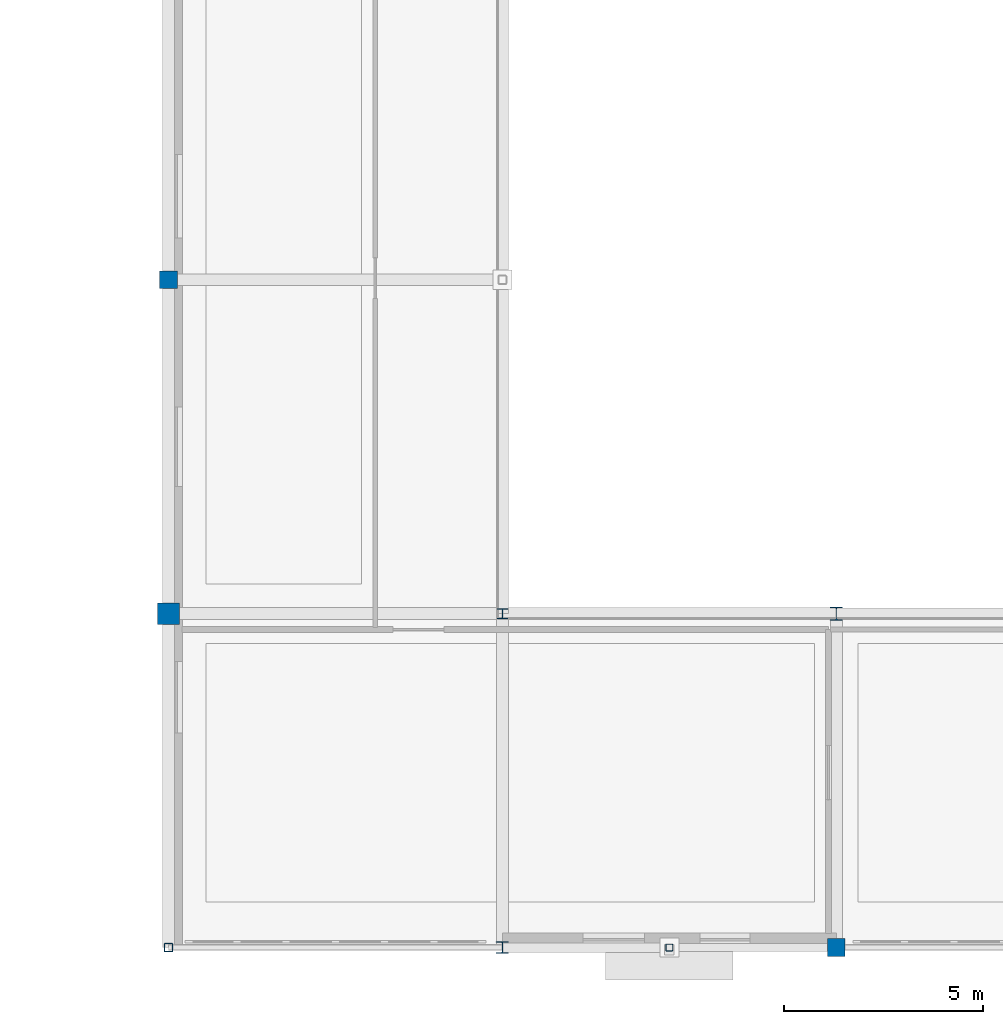
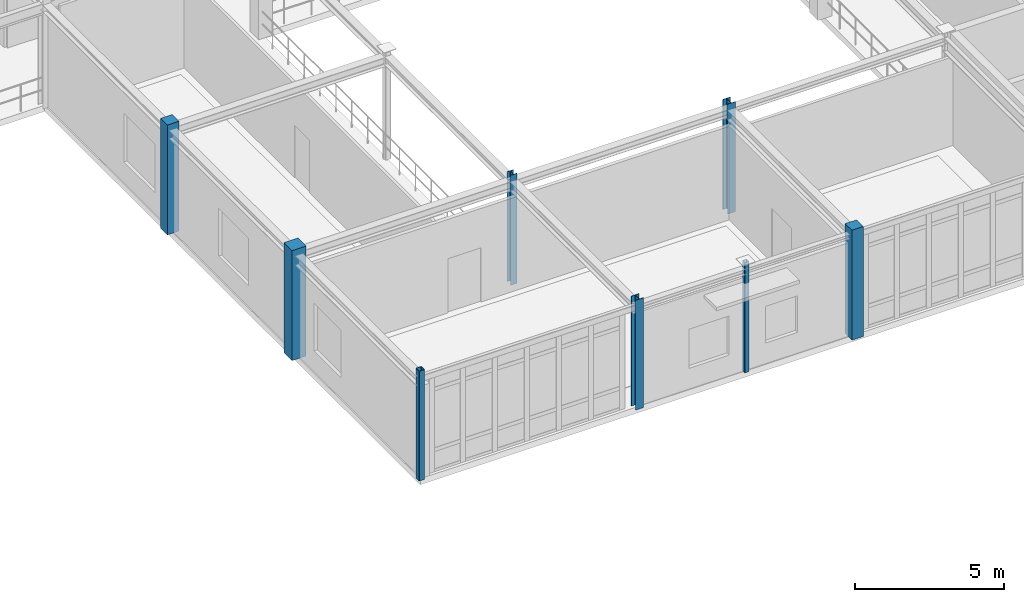
# One storey, part 8 of 106: 8 columns.
"""IFC4 building model written with IfcOpenShell, lengths in metres."""

from ifc_helpers import new_model, si_unit, derived_unit, direction, frame, origin, origin_2d, place, context, subcontext, project, spatial, rectangle, hollow_rectangle, i_section, extrude, material, material_profile, profile_set, type_object, element, save


model = new_model("IFC4")

# Units and contexts
model_context = context("Model", 3, precision=1e-05, world=origin(), true_north=direction((0.0, 1.0)))
body_context = subcontext(model_context, "Body", "Model", "MODEL_VIEW")
ifc_project = project(units=[si_unit("LENGTHUNIT", "METRE"), si_unit("AREAUNIT", "SQUARE_METRE"), si_unit("VOLUMEUNIT", "CUBIC_METRE"), si_unit("PLANEANGLEUNIT", "RADIAN"), si_unit("MASSUNIT", "GRAM", prefix="KILO"), derived_unit("THERMALTRANSMITTANCEUNIT", [(si_unit("POWERUNIT", "WATT"), 1), (si_unit("AREAUNIT", "SQUARE_METRE"), -1), (si_unit("THERMODYNAMICTEMPERATUREUNIT", "KELVIN"), -1)])], contexts=[model_context])

# Site, building, storey
site_placement = place(None, origin())
site = spatial("IfcSite", under=ifc_project, at=site_placement, CompositionType="ELEMENT")
building_placement = place(site_placement, origin())
building = spatial("IfcBuilding", under=site, at=building_placement, Name="Yasenodar Specialist Clinic", CompositionType="ELEMENT")
storey_placement = place(building_placement, frame((0.0, 0.0, 4.5)))
storey = spatial("IfcBuildingStorey", under=building, at=storey_placement, Name="L01", CompositionType="ELEMENT", Elevation=4.5)

# Columns
ifc_material_1 = material(Name="Concrete C35/45", Category="concrete")
ifc_material_profile_1 = material_profile(ifc_material_1, rectangle(XDim=0.449951171875, YDim=0.449951171875, at=origin_2d()), Name="RC 450x450")
ifc_profile_set_1 = profile_set([ifc_material_profile_1], Name="Concrete C35/45")
column_type_1 = type_object("IfcColumnType", Name="COL-RC-450", PredefinedType="COLUMN", material=ifc_profile_set_1)
for number, where, z_axis, x_axis, name in (
    (1, (105.0, 16.800048828125, 0.0), (0.0, 0.0, 1.0), (1.0, 0.0, 0.0), "L01 Column V3-119"),
    (2, (121.800048828125, 0.0, 0.0), (0.0, 0.0, 1.0), (1.0, 0.0, 0.0), "L01 Column V3-137"),
):
    element("IfcColumn", number, at=place(storey_placement, frame(where, z_axis=z_axis, x_axis=x_axis)), inside=storey, type_object=column_type_1, Name=name, PredefinedType="COLUMN", context=body_context, shape_type="SweptSolid", body=[
        extrude(rectangle(XDim=0.449951171875, YDim=0.449951171875, at=origin_2d()), origin(), (0.0, 0.0, 1.0), 4.5),
    ])
ifc_material_profile_2 = material_profile(ifc_material_1, rectangle(XDim=0.550048828125, YDim=0.550048828125, at=origin_2d()), Name="RC 550x550")
ifc_profile_set_2 = profile_set([ifc_material_profile_2], Name="Concrete C35/45")
column_type_2 = type_object("IfcColumnType", Name="COL-RC-550", PredefinedType="COLUMN", material=ifc_profile_set_2)
column_1_placement = place(storey_placement, frame((105.0, 8.39990234375, 0.0), z_axis=(0.0, 0.0, 1.0), x_axis=(1.0, 0.0, 0.0)))
element("IfcColumn", 3, at=column_1_placement, inside=storey, type_object=column_type_2, Name="L01 Column V3-118", PredefinedType="COLUMN", context=body_context, shape_type="SweptSolid", body=[
    extrude(rectangle(XDim=0.550048828125, YDim=0.550048828125, at=origin_2d()), origin(), (0.0, 0.0, 1.0), 4.5),
])
ifc_material_2 = material(Name="Steel S355", Category="steel")
ifc_material_profile_3 = material_profile(ifc_material_2, i_section(OverallWidth=0.260009765625, OverallDepth=0.25, WebThickness=0.007568359375, FlangeThickness=0.012451171875, FilletRadius=0.02392578125, at=origin_2d()), Name="HEA 260")
ifc_profile_set_3 = profile_set([ifc_material_profile_3], Name="Steel S355")
column_type_3 = type_object("IfcColumnType", Name="COL-ST-HEA260", PredefinedType="COLUMN", material=ifc_profile_set_3)
column_2_placement = place(storey_placement, frame((113.39990234375, 8.39990234375, 0.0), z_axis=(0.0, 0.0, 1.0), x_axis=(1.0, 0.0, 0.0)))
element("IfcColumn", 4, at=column_2_placement, inside=storey, type_object=column_type_3, Name="L01 Column V3-128", PredefinedType="COLUMN", context=body_context, shape_type="SweptSolid", body=[
    extrude(i_section(OverallWidth=0.260009765625, OverallDepth=0.25, WebThickness=0.007568359375, FlangeThickness=0.012451171875, FilletRadius=0.02392578125, at=origin_2d()), origin(), (0.0, 0.0, 1.0), 4.5),
])
ifc_material_profile_4 = material_profile(ifc_material_2, i_section(OverallWidth=0.300048828125, OverallDepth=0.2900390625, WebThickness=0.008544921875, FlangeThickness=0.013916015625, FilletRadius=0.027099609375, at=origin_2d()), Name="HEA 300")
ifc_profile_set_4 = profile_set([ifc_material_profile_4], Name="Steel S355")
column_type_4 = type_object("IfcColumnType", Name="COL-ST-HEA300", PredefinedType="COLUMN", material=ifc_profile_set_4)
column_3_placement = place(storey_placement, frame((113.39990234375, 0.0, 0.0), z_axis=(0.0, 0.0, 1.0), x_axis=(1.0, 0.0, 0.0)))
element("IfcColumn", 5, at=column_3_placement, inside=storey, type_object=column_type_4, Name="L01 Column V3-127", PredefinedType="COLUMN", context=body_context, shape_type="SweptSolid", body=[
    extrude(i_section(OverallWidth=0.300048828125, OverallDepth=0.2900390625, WebThickness=0.008544921875, FlangeThickness=0.013916015625, FilletRadius=0.027099609375, at=origin_2d()), origin(), (0.0, 0.0, 1.0), 4.5),
])
ifc_material_profile_5 = material_profile(ifc_material_2, i_section(OverallWidth=0.300048828125, OverallDepth=0.330078125, WebThickness=0.009521484375, FlangeThickness=0.0166015625, FilletRadius=0.027099609375, at=origin_2d()), Name="HEA 340")
ifc_profile_set_5 = profile_set([ifc_material_profile_5], Name="Steel S355")
column_type_5 = type_object("IfcColumnType", Name="COL-ST-HEA340", PredefinedType="COLUMN", material=ifc_profile_set_5)
column_4_placement = place(storey_placement, frame((121.800048828125, 8.39990234375, 0.0), z_axis=(0.0, 0.0, 1.0), x_axis=(1.0, 0.0, 0.0)))
element("IfcColumn", 6, at=column_4_placement, inside=storey, type_object=column_type_5, Name="L01 Column V3-138", PredefinedType="COLUMN", context=body_context, shape_type="SweptSolid", body=[
    extrude(i_section(OverallWidth=0.300048828125, OverallDepth=0.330078125, WebThickness=0.009521484375, FlangeThickness=0.0166015625, FilletRadius=0.027099609375, at=origin_2d()), origin(), (0.0, 0.0, 1.0), 4.5),
])
ifc_material_profile_6 = material_profile(ifc_material_2, hollow_rectangle(XDim=0.219970703125, YDim=0.219970703125, WallThickness=0.012451171875, InnerFilletRadius=0.018798828125, OuterFilletRadius=0.03125, at=origin_2d()), Name="SHS 220x220x12.5")
ifc_profile_set_6 = profile_set([ifc_material_profile_6], Name="Steel S355")
column_type_6 = type_object("IfcColumnType", Name="COL-ST-SHS220", PredefinedType="COLUMN", material=ifc_profile_set_6)
column_5_placement = place(storey_placement, frame((105.0, 0.0, 0.0), z_axis=(0.0, 0.0, 1.0), x_axis=(1.0, 0.0, 0.0)))
element("IfcColumn", 7, at=column_5_placement, inside=storey, type_object=column_type_6, Name="L01 Column V3-117", PredefinedType="COLUMN", context=body_context, shape_type="SweptSolid", body=[
    extrude(hollow_rectangle(XDim=0.219970703125, YDim=0.219970703125, WallThickness=0.012451171875, InnerFilletRadius=0.018798828125, OuterFilletRadius=0.03125, at=origin_2d()), origin(), (0.0, 0.0, 1.0), 4.5),
])
ifc_material_profile_7 = material_profile(ifc_material_2, hollow_rectangle(XDim=0.179931640625, YDim=0.179931640625, WallThickness=0.010009765625, InnerFilletRadius=0.014892578125, OuterFilletRadius=0.02490234375, at=origin_2d()), Name="SHS 180x180x10")
ifc_profile_set_7 = profile_set([ifc_material_profile_7], Name="Steel S355")
column_type_7 = type_object("IfcColumnType", Name="PIL-ST-SHS180", PredefinedType="PILASTER", material=ifc_profile_set_7)
column_6_placement = place(storey_placement, frame((117.60009765625, 0.0, 0.0), z_axis=(0.0, 0.0, 1.0), x_axis=(1.0, 0.0, 0.0)))
element("IfcColumn", 8, at=column_6_placement, inside=storey, type_object=column_type_7, Name="L01 Arcade Pilaster 05", PredefinedType="PILASTER", context=body_context, shape_type="SweptSolid", body=[
    extrude(hollow_rectangle(XDim=0.179931640625, YDim=0.179931640625, WallThickness=0.010009765625, InnerFilletRadius=0.014892578125, OuterFilletRadius=0.02490234375, at=origin_2d()), origin(), (0.0, 0.0, 1.0), 4.5),
])

save(model, "model.ifc")
